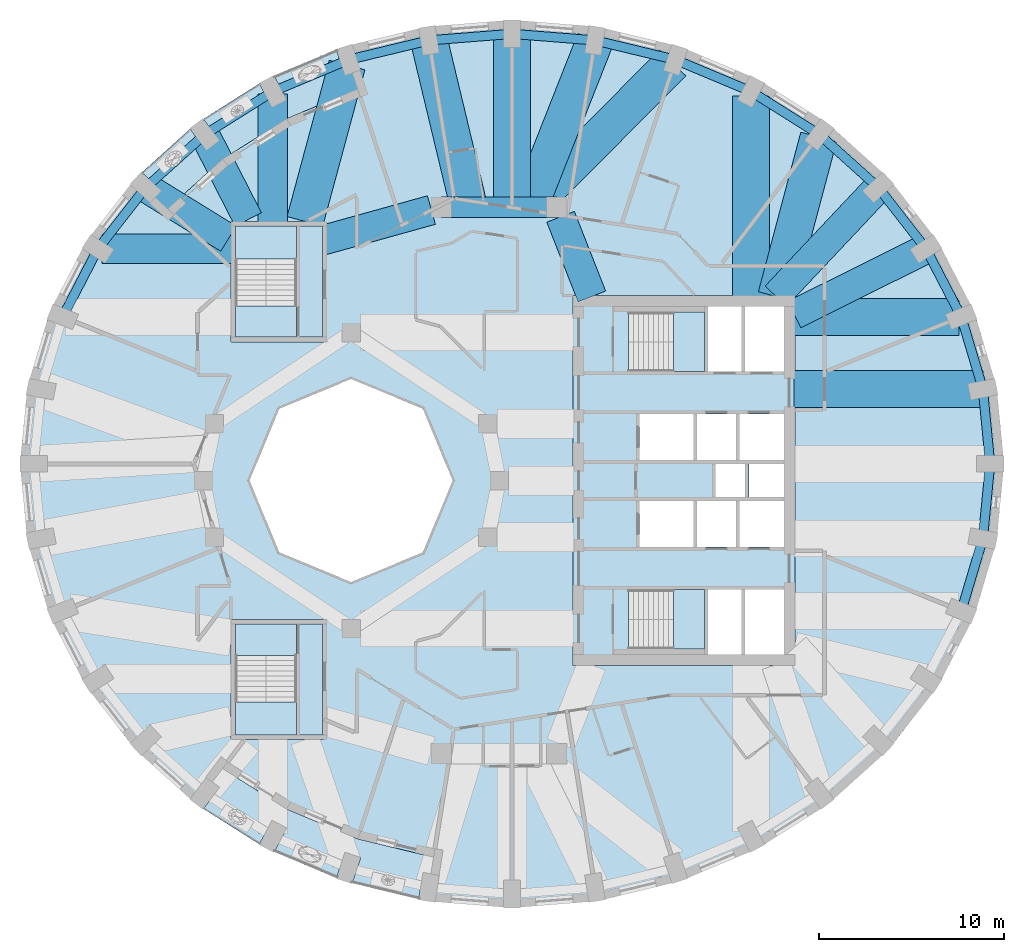
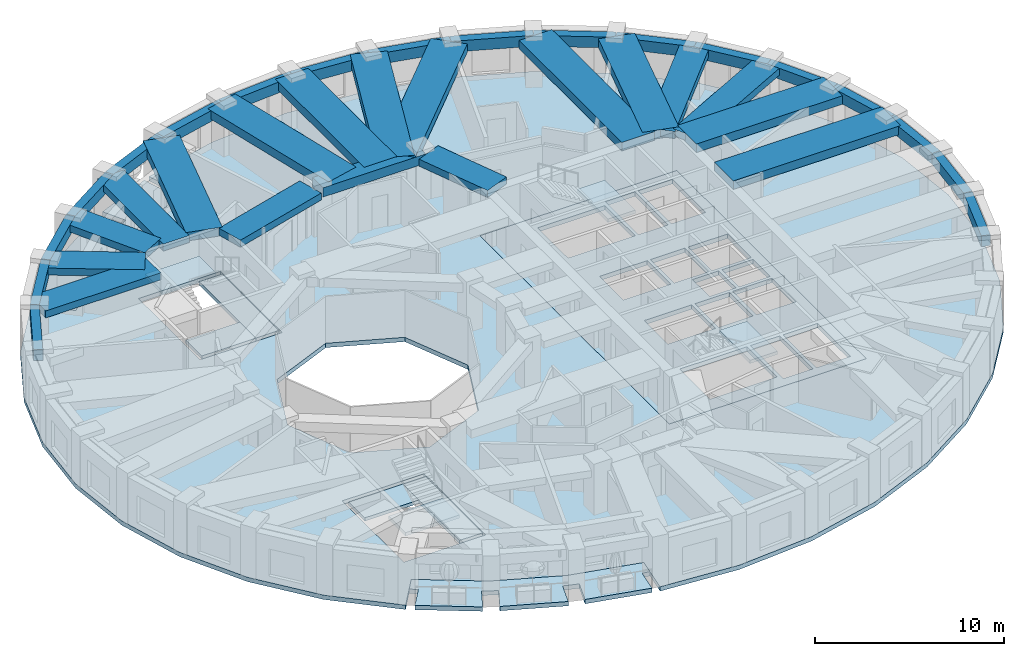
# One storey, part 2 of 12: 36 beams, 12 slabs, 4 elements without a shape of their own.
"""IFC4 building model written with IfcOpenShell, lengths in metres."""

from ifc_helpers import new_model, si_unit, direction, frame, origin, origin_2d, place, context, subcontext, project, spatial, polyline, rectangle, outline, extrude, material, layer, layer_set, material_profile, profile_set, type_object, element, aggregate, save


model = new_model("IFC4")

# Units and contexts
model_context = context("Model", 3, precision=1e-05, world=origin(), true_north=direction((0.0, 1.0)))
body_context = subcontext(model_context, "Body", "Model", "MODEL_VIEW")
ifc_project = project(units=[si_unit("LENGTHUNIT", "METRE"), si_unit("AREAUNIT", "SQUARE_METRE"), si_unit("VOLUMEUNIT", "CUBIC_METRE"), si_unit("PLANEANGLEUNIT", "RADIAN"), si_unit("MASSUNIT", "GRAM", prefix="KILO")], contexts=[model_context])

# Site, building, storey
site_placement = place(None, origin())
site = spatial("IfcSite", under=ifc_project, at=site_placement, CompositionType="ELEMENT")
building_placement = place(site_placement, origin())
building = spatial("IfcBuilding", under=site, at=building_placement, Name="Taillehof Tower", CompositionType="ELEMENT")
storey_placement = place(building_placement, frame((0.0, 0.0, 209.0)))
storey = spatial("IfcBuildingStorey", under=building, at=storey_placement, Name="L59", CompositionType="ELEMENT", Elevation=209.0)

# Beams
ifc_material_1 = material(Name="Concrete C50/60", Category="concrete")
ifc_material_profile_1 = material_profile(ifc_material_1, rectangle(XDim=1.10009765625, YDim=0.60009765625, at=origin_2d()), Name="RC 1100x600")
ifc_profile_set_1 = profile_set([ifc_material_profile_1], Name="Concrete C50/60")
beam_type_1 = type_object("IfcBeamType", Name="Mid-ring beam C50/60 1100x600", PredefinedType="BEAM", material=ifc_profile_set_1)
beam_1_placement = place(storey_placement, frame((3.125732421875, 14.772216796875, 2.719970703125), z_axis=(-1.0, 0.0, 0.0), x_axis=(0.0, -1.0, 0.0)))
element("IfcBeam", 1, at=beam_1_placement, inside=storey, type_object=beam_type_1, Name="Mid-ring beam MB01", PredefinedType="BEAM", context=body_context, shape_type="SweptSolid", body=[
    extrude(rectangle(XDim=1.10009765625, YDim=0.60009765625, at=origin_2d()), origin(), (0.0, 0.0, 1.0), 6.25146484375),
])
ifc_material_2 = material(Name="Concrete C50/60", Category="concrete")
ifc_material_profile_2 = material_profile(ifc_material_2, rectangle(XDim=1.60009765625, YDim=0.449951171875, at=origin_2d()), Name="RC 1600x450")
ifc_profile_set_2 = profile_set([ifc_material_profile_2], Name="Concrete C50/60")
beam_type_2 = type_object("IfcBeamType", Name="Radial band beam C50/60 1600x450", PredefinedType="BEAM", material=ifc_profile_set_2)
beam_2_placement = place(storey_placement, frame((23.086669921875, 12.52490234375, 2.794921875), z_axis=(-0.895357082848, -0.445348957778, 0.0), x_axis=(0.445348957778, -0.895357082848, 0.0)))
element("IfcBeam", 2, at=beam_2_placement, inside=storey, type_object=beam_type_2, Name="Radial band beam RB04", PredefinedType="BEAM", context=body_context, shape_type="SweptSolid", body=[
    extrude(rectangle(XDim=1.60009765625, YDim=0.449951171875, at=origin_2d()), origin(), (0.0, 0.0, 1.0), 7.96484375),
])
beam_3_placement = place(storey_placement, frame((20.502197265625, 15.8447265625, 2.794921875), z_axis=(-0.685451470964, -0.728118315217, 0.0), x_axis=(0.728118315217, -0.685451470964, 0.0)))
element("IfcBeam", 3, at=beam_3_placement, inside=storey, type_object=beam_type_2, Name="Radial band beam RB05", PredefinedType="BEAM", context=body_context, shape_type="SweptSolid", body=[
    extrude(rectangle(XDim=1.60009765625, YDim=0.449951171875, at=origin_2d()), origin(), (0.0, 0.0, 1.0), 8.07373046875),
])
beam_4_placement = place(storey_placement, frame((-12.22509765625, 20.9013671875, 2.794921875), z_axis=(0.0, -1.0, 0.0), x_axis=(1.0, 0.0, 0.0)))
element("IfcBeam", 4, at=beam_4_placement, inside=storey, type_object=beam_type_2, Name="Radial band beam RB13", PredefinedType="BEAM", context=body_context, shape_type="SweptSolid", body=[
    extrude(rectangle(XDim=1.60009765625, YDim=0.449951171875, at=origin_2d()), origin(), (0.0, 0.0, 1.0), 6.951416015625),
])
beam_5_placement = place(storey_placement, frame((-15.916015625, 18.71044921875, 2.794921875), z_axis=(0.456360793517, -0.889794822496, 0.0), x_axis=(0.889794822496, 0.456360793517, 0.0)))
element("IfcBeam", 5, at=beam_5_placement, inside=storey, type_object=beam_type_2, Name="Radial band beam RB14", PredefinedType="BEAM", context=body_context, shape_type="SweptSolid", body=[
    extrude(rectangle(XDim=1.60009765625, YDim=0.449951171875, at=origin_2d()), origin(), (0.0, 0.0, 1.0), 5.16455078125),
])
beam_6_placement = place(storey_placement, frame((-19.102294921875, 15.8447265625, 2.794921875), z_axis=(0.850616081395, -0.525787297366, 0.0), x_axis=(0.525787297366, 0.850616081395, 0.0)))
element("IfcBeam", 6, at=beam_6_placement, inside=storey, type_object=beam_type_2, Name="Radial band beam RB15", PredefinedType="BEAM", context=body_context, shape_type="SweptSolid", body=[
    extrude(rectangle(XDim=1.60009765625, YDim=0.449951171875, at=origin_2d()), origin(), (0.0, 0.0, 1.0), 5.260498046875),
])
beam_7_placement = place(storey_placement, frame((-21.47021484375, 12.52490234375, 2.794921875), z_axis=(1.0, 0.0, 0.0), x_axis=(0.0, 1.0, 0.0)))
element("IfcBeam", 7, at=beam_7_placement, inside=storey, type_object=beam_type_2, Name="Radial band beam RB16", PredefinedType="BEAM", context=body_context, shape_type="SweptSolid", body=[
    extrude(rectangle(XDim=1.60009765625, YDim=0.449951171875, at=origin_2d()), origin(), (0.0, 0.0, 1.0), 7.020263671875),
])
beam_8_placement = place(storey_placement, frame((3.32666015625, 14.26025390625, 2.794921875), z_axis=(0.365588707223, -0.930776502255, 0.0), x_axis=(0.930776502255, 0.365588707223, 0.0)))
element("IfcBeam", 8, at=beam_8_placement, inside=storey, type_object=beam_type_2, Name="Inner band beam IB205", PredefinedType="BEAM", context=body_context, shape_type="SweptSolid", body=[
    extrude(rectangle(XDim=1.60009765625, YDim=0.449951171875, at=origin_2d()), origin(), (0.0, 0.0, 1.0), 4.627197265625),
])
beam_9_placement = place(storey_placement, frame((-3.655517578125, 14.624755859375, 2.794921875), z_axis=(-0.963459369536, -0.267854518821, 0.0), x_axis=(0.267854518821, -0.963459369536, 0.0)))
element("IfcBeam", 9, at=beam_9_placement, inside=storey, type_object=beam_type_2, Name="Inner band beam IB206", PredefinedType="BEAM", context=body_context, shape_type="SweptSolid", body=[
    extrude(rectangle(XDim=1.60009765625, YDim=0.449951171875, at=origin_2d()), origin(), (0.0, 0.0, 1.0), 6.096923828125),
])
ifc_material_3 = material(Name="Concrete C50/60", Category="concrete")
ifc_material_profile_3 = material_profile(ifc_material_3, rectangle(XDim=2.0, YDim=0.550048828125, at=origin_2d()), Name="RC 2000x550")
ifc_profile_set_3 = profile_set([ifc_material_profile_3], Name="Concrete C50/60")
beam_type_3 = type_object("IfcBeamType", Name="Radial band beam C50/60 2000x550", PredefinedType="BEAM", material=ifc_profile_set_3)
beam_10_placement = place(storey_placement, frame((26.1572265625, 4.937255859375, 2.7451171875), z_axis=(-1.0, 0.0, 0.0), x_axis=(0.0, -1.0, 0.0)))
element("IfcBeam", 10, at=beam_10_placement, inside=storey, type_object=beam_type_3, Name="Radial band beam RB02", PredefinedType="BEAM", context=body_context, shape_type="SweptSolid", body=[
    extrude(rectangle(XDim=2.0, YDim=0.550048828125, at=origin_2d()), origin(), (0.0, 0.0, 1.0), 10.207275390625),
])
beam_11_placement = place(storey_placement, frame((24.856201171875, 8.85205078125, 2.7451171875), z_axis=(-1.0, 0.0, 0.0), x_axis=(0.0, -1.0, 0.0)))
element("IfcBeam", 11, at=beam_11_placement, inside=storey, type_object=beam_type_3, Name="Radial band beam RB03", PredefinedType="BEAM", context=body_context, shape_type="SweptSolid", body=[
    extrude(rectangle(XDim=2.0, YDim=0.550048828125, at=origin_2d()), origin(), (0.0, 0.0, 1.0), 8.90625),
])
beam_12_placement = place(storey_placement, frame((17.28076171875, 18.577880859375, 2.7451171875), z_axis=(-0.256969711091, -0.966419457369, 0.0), x_axis=(0.966419457369, -0.256969711091, 0.0)))
element("IfcBeam", 12, at=beam_12_placement, inside=storey, type_object=beam_type_3, Name="Radial band beam RB06", PredefinedType="BEAM", context=body_context, shape_type="SweptSolid", body=[
    extrude(rectangle(XDim=2.0, YDim=0.550048828125, at=origin_2d()), origin(), (0.0, 0.0, 1.0), 8.926025390625),
])
beam_13_placement = place(storey_placement, frame((13.625, 20.797607421875, 2.7451171875), z_axis=(0.0, -1.0, 0.0), x_axis=(1.0, 0.0, 0.0)))
element("IfcBeam", 13, at=beam_13_placement, inside=storey, type_object=beam_type_3, Name="Radial band beam RB07", PredefinedType="BEAM", context=body_context, shape_type="SweptSolid", body=[
    extrude(rectangle(XDim=2.0, YDim=0.550048828125, at=origin_2d()), origin(), (0.0, 0.0, 1.0), 10.84765625),
])
beam_14_placement = place(storey_placement, frame((9.384765625, 22.590087890625, 2.7451171875), z_axis=(-0.704433609475, -0.709769885133, 0.0), x_axis=(0.709769885133, -0.704433609475, 0.0)))
element("IfcBeam", 14, at=beam_14_placement, inside=storey, type_object=beam_type_3, Name="Radial band beam RB08", PredefinedType="BEAM", context=body_context, shape_type="SweptSolid", body=[
    extrude(rectangle(XDim=2.0, YDim=0.550048828125, at=origin_2d()), origin(), (0.0, 0.0, 1.0), 10.79736328125),
])
beam_15_placement = place(storey_placement, frame((5.188720703125, 23.796875, 2.7451171875), z_axis=(-0.367222105753, -0.930133283485, 0.0), x_axis=(0.930133283485, -0.367222105753, 0.0)))
element("IfcBeam", 15, at=beam_15_placement, inside=storey, type_object=beam_type_3, Name="Radial band beam RB09", PredefinedType="BEAM", context=body_context, shape_type="SweptSolid", body=[
    extrude(rectangle(XDim=2.0, YDim=0.550048828125, at=origin_2d()), origin(), (0.0, 0.0, 1.0), 9.70263671875),
])
beam_16_placement = place(storey_placement, frame((0.699951171875, 24.14990234375, 2.7451171875), z_axis=(0.0, -1.0, 0.0), x_axis=(1.0, 0.0, 0.0)))
element("IfcBeam", 16, at=beam_16_placement, inside=storey, type_object=beam_type_3, Name="Radial band beam RB10", PredefinedType="BEAM", context=body_context, shape_type="SweptSolid", body=[
    extrude(rectangle(XDim=2.0, YDim=0.550048828125, at=origin_2d()), origin(), (0.0, 0.0, 1.0), 9.377685546875),
])
beam_17_placement = place(storey_placement, frame((-3.788818359375, 23.796875, 2.7451171875), z_axis=(0.233084395558, -0.972456510363, 0.0), x_axis=(0.972456510363, 0.233084395558, 0.0)))
element("IfcBeam", 17, at=beam_17_placement, inside=storey, type_object=beam_type_3, Name="Radial band beam RB11", PredefinedType="BEAM", context=body_context, shape_type="SweptSolid", body=[
    extrude(rectangle(XDim=2.0, YDim=0.550048828125, at=origin_2d()), origin(), (0.0, 0.0, 1.0), 9.2802734375),
])
beam_18_placement = place(storey_placement, frame((-8.2177734375, 22.464111328125, 2.7451171875), z_axis=(-0.260346436551, -0.965515268121, 0.0), x_axis=(0.965515268121, -0.260346436551, 0.0)))
element("IfcBeam", 18, at=beam_18_placement, inside=storey, type_object=beam_type_3, Name="Radial band beam RB12", PredefinedType="BEAM", context=body_context, shape_type="SweptSolid", body=[
    extrude(rectangle(XDim=2.0, YDim=0.550048828125, at=origin_2d()), origin(), (0.0, 0.0, 1.0), 8.755859375),
])
ifc_material_4 = material(Name="Concrete C50/60", Category="concrete")
ifc_material_profile_4 = material_profile(ifc_material_4, rectangle(XDim=0.5, YDim=0.699951171875, at=origin_2d()), Name="RC 500x700")
ifc_profile_set_4 = profile_set([ifc_material_profile_4], Name="Concrete C50/60")
beam_type_4 = type_object("IfcBeamType", Name="Spandrel beam C50/60 500x700", PredefinedType="SPANDREL", material=ifc_profile_set_4)
beam_19_placement = place(storey_placement, frame((26.550048828125, 0.89990234375, 2.669921875), z_axis=(-0.096839674059, 0.995299993735, 0.0), x_axis=(-0.995299993735, -0.096839674059, 0.0)))
element("IfcBeam", 19, at=beam_19_placement, inside=storey, type_object=beam_type_4, Name="Spandrel beam SB01", PredefinedType="SPANDREL", context=body_context, shape_type="SweptSolid", body=[
    extrude(rectangle(XDim=0.5, YDim=0.699951171875, at=origin_2d()), origin(), (0.0, 0.0, 1.0), 4.056396484375),
])
beam_20_placement = place(storey_placement, frame((26.1572265625, 4.937255859375, 2.669921875), z_axis=(-0.285510458946, 0.9583755933, 0.0), x_axis=(-0.9583755933, -0.285510458946, 0.0)))
element("IfcBeam", 20, at=beam_20_placement, inside=storey, type_object=beam_type_4, Name="Spandrel beam SB02", PredefinedType="SPANDREL", context=body_context, shape_type="SweptSolid", body=[
    extrude(rectangle(XDim=0.5, YDim=0.699951171875, at=origin_2d()), origin(), (0.0, 0.0, 1.0), 4.084716796875),
])
beam_21_placement = place(storey_placement, frame((24.990966796875, 8.85205078125, 2.669921875), z_axis=(-0.460289604274, 0.887768821371, 0.0), x_axis=(-0.887768821371, -0.460289604274, 0.0)))
element("IfcBeam", 21, at=beam_21_placement, inside=storey, type_object=beam_type_4, Name="Spandrel beam SB03", PredefinedType="SPANDREL", context=body_context, shape_type="SweptSolid", body=[
    extrude(rectangle(XDim=0.5, YDim=0.699951171875, at=origin_2d()), origin(), (0.0, 0.0, 1.0), 4.13720703125),
])
beam_22_placement = place(storey_placement, frame((23.086669921875, 12.52490234375, 2.669921875), z_axis=(-0.614294081938, 0.789077170432, 0.0), x_axis=(-0.789077170432, -0.614294081938, 0.0)))
element("IfcBeam", 22, at=beam_22_placement, inside=storey, type_object=beam_type_4, Name="Spandrel beam SB04", PredefinedType="SPANDREL", context=body_context, shape_type="SweptSolid", body=[
    extrude(rectangle(XDim=0.5, YDim=0.699951171875, at=origin_2d()), origin(), (0.0, 0.0, 1.0), 4.207275390625),
])
beam_23_placement = place(storey_placement, frame((20.502197265625, 15.8447265625, 2.669921875), z_axis=(-0.743492416006, 0.668744366213, 0.0), x_axis=(-0.668744366213, -0.743492416006, 0.0)))
element("IfcBeam", 23, at=beam_23_placement, inside=storey, type_object=beam_type_4, Name="Spandrel beam SB05", PredefinedType="SPANDREL", context=body_context, shape_type="SweptSolid", body=[
    extrude(rectangle(XDim=0.5, YDim=0.699951171875, at=origin_2d()), origin(), (0.0, 0.0, 1.0), 4.28515625),
])
beam_24_placement = place(storey_placement, frame((17.316162109375, 18.71044921875, 2.669921875), z_axis=(-0.846166475687, 0.532918657417, 0.0), x_axis=(-0.532918657417, -0.846166475687, 0.0)))
element("IfcBeam", 24, at=beam_24_placement, inside=storey, type_object=beam_type_4, Name="Spandrel beam SB06", PredefinedType="SPANDREL", context=body_context, shape_type="SweptSolid", body=[
    extrude(rectangle(XDim=0.5, YDim=0.699951171875, at=origin_2d()), origin(), (0.0, 0.0, 1.0), 4.3623046875),
])
beam_25_placement = place(storey_placement, frame((13.625, 21.03515625, 2.669921875), z_axis=(-0.92218550199, 0.386747850569, 0.0), x_axis=(-0.386747850569, -0.92218550199, 0.0)))
element("IfcBeam", 25, at=beam_25_placement, inside=storey, type_object=beam_type_4, Name="Spandrel beam SB07", PredefinedType="SPANDREL", context=body_context, shape_type="SweptSolid", body=[
    extrude(rectangle(XDim=0.5, YDim=0.699951171875, at=origin_2d()), origin(), (0.0, 0.0, 1.0), 4.42822265625),
])
beam_26_placement = place(storey_placement, frame((9.541259765625, 22.747802734375, 2.669921875), z_axis=(-0.972160640613, 0.234315361943, 0.0), x_axis=(-0.234315361943, -0.972160640613, 0.0)))
element("IfcBeam", 26, at=beam_26_placement, inside=storey, type_object=beam_type_4, Name="Spandrel beam SB08", PredefinedType="SPANDREL", context=body_context, shape_type="SweptSolid", body=[
    extrude(rectangle(XDim=0.5, YDim=0.699951171875, at=origin_2d()), origin(), (0.0, 0.0, 1.0), 4.477294921875),
])
for number, where, z_axis, x_axis, name in (
    (27, (5.188720703125, 23.796875, 2.669921875), (-0.996921613963, 0.078404691275, 0.0), (-0.078404691275, -0.996921613963, 0.0), "Spandrel beam SB09"),
    (28, (0.699951171875, 24.14990234375, 2.669921875), (-0.996921613963, -0.078404691275, 0.0), (0.078404691275, -0.996921613963, 0.0), "Spandrel beam SB10"),
):
    element("IfcBeam", number, at=place(storey_placement, frame(where, z_axis=z_axis, x_axis=x_axis)), inside=storey, type_object=beam_type_4, Name=name, PredefinedType="SPANDREL", context=body_context, shape_type="SweptSolid", body=[
        extrude(rectangle(XDim=0.5, YDim=0.699951171875, at=origin_2d()), origin(), (0.0, 0.0, 1.0), 4.502685546875),
    ])
beam_27_placement = place(storey_placement, frame((-3.788818359375, 23.796875, 2.669921875), z_axis=(-0.972157646478, -0.234327784087, 0.0), x_axis=(0.234327784087, -0.972157646478, 0.0)))
element("IfcBeam", 29, at=beam_27_placement, inside=storey, type_object=beam_type_4, Name="Spandrel beam SB11", PredefinedType="SPANDREL", context=body_context, shape_type="SweptSolid", body=[
    extrude(rectangle(XDim=0.5, YDim=0.699951171875, at=origin_2d()), origin(), (0.0, 0.0, 1.0), 4.47705078125),
])
beam_28_placement = place(storey_placement, frame((-8.14111328125, 22.747802734375, 2.669921875), z_axis=(-0.922193747603, -0.386728188632, 0.0), x_axis=(0.386728188632, -0.922193747603, 0.0)))
element("IfcBeam", 30, at=beam_28_placement, inside=storey, type_object=beam_type_4, Name="Spandrel beam SB12", PredefinedType="SPANDREL", context=body_context, shape_type="SweptSolid", body=[
    extrude(rectangle(XDim=0.5, YDim=0.699951171875, at=origin_2d()), origin(), (0.0, 0.0, 1.0), 4.428466796875),
])
beam_29_placement = place(storey_placement, frame((-12.22509765625, 21.03515625, 2.669921875), z_axis=(-0.846150579775, -0.532943896059, 0.0), x_axis=(0.532943896059, -0.846150579775, 0.0)))
element("IfcBeam", 31, at=beam_29_placement, inside=storey, type_object=beam_type_4, Name="Spandrel beam SB13", PredefinedType="SPANDREL", context=body_context, shape_type="SweptSolid", body=[
    extrude(rectangle(XDim=0.5, YDim=0.699951171875, at=origin_2d()), origin(), (0.0, 0.0, 1.0), 4.362060546875),
])
beam_30_placement = place(storey_placement, frame((-15.916015625, 18.71044921875, 2.669921875), z_axis=(-0.743517893617, -0.668716039789, 0.0), x_axis=(0.668716039789, -0.743517893617, 0.0)))
element("IfcBeam", 32, at=beam_30_placement, inside=storey, type_object=beam_type_4, Name="Spandrel beam SB14", PredefinedType="SPANDREL", context=body_context, shape_type="SweptSolid", body=[
    extrude(rectangle(XDim=0.5, YDim=0.699951171875, at=origin_2d()), origin(), (0.0, 0.0, 1.0), 4.285400390625),
])
beam_31_placement = place(storey_placement, frame((-19.102294921875, 15.8447265625, 2.669921875), z_axis=(-0.614294081938, -0.789077170432, 0.0), x_axis=(0.789077170432, -0.614294081938, 0.0)))
element("IfcBeam", 33, at=beam_31_placement, inside=storey, type_object=beam_type_4, Name="Spandrel beam SB15", PredefinedType="SPANDREL", context=body_context, shape_type="SweptSolid", body=[
    extrude(rectangle(XDim=0.5, YDim=0.699951171875, at=origin_2d()), origin(), (0.0, 0.0, 1.0), 4.207275390625),
])
beam_32_placement = place(storey_placement, frame((-21.686767578125, 12.52490234375, 2.669921875), z_axis=(-0.460289604274, -0.887768821371, 0.0), x_axis=(0.887768821371, -0.460289604274, 0.0)))
element("IfcBeam", 34, at=beam_32_placement, inside=storey, type_object=beam_type_4, Name="Spandrel beam SB16", PredefinedType="SPANDREL", context=body_context, shape_type="SweptSolid", body=[
    extrude(rectangle(XDim=0.5, YDim=0.699951171875, at=origin_2d()), origin(), (0.0, 0.0, 1.0), 4.13720703125),
])
beam_33_placement = place(storey_placement, frame((24.990966796875, -7.052001953125, 2.669921875), z_axis=(0.285510458946, 0.9583755933, 0.0), x_axis=(-0.9583755933, 0.285510458946, 0.0)))
element("IfcBeam", 35, at=beam_33_placement, inside=storey, type_object=beam_type_4, Name="Spandrel beam SB35", PredefinedType="SPANDREL", context=body_context, shape_type="SweptSolid", body=[
    extrude(rectangle(XDim=0.5, YDim=0.699951171875, at=origin_2d()), origin(), (0.0, 0.0, 1.0), 4.084716796875),
])
beam_34_placement = place(storey_placement, frame((26.1572265625, -3.13720703125, 2.669921875), z_axis=(0.096845475428, 0.995299429262, 0.0), x_axis=(-0.995299429262, 0.096845475428, 0.0)))
element("IfcBeam", 36, at=beam_34_placement, inside=storey, type_object=beam_type_4, Name="Spandrel beam SB36", PredefinedType="SPANDREL", context=body_context, shape_type="SweptSolid", body=[
    extrude(rectangle(XDim=0.5, YDim=0.699951171875, at=origin_2d()), origin(), (0.0, 0.0, 1.0), 4.05615234375),
])

# Slabs
ifc_material_5 = material(Name="Concrete C40/50", Category="concrete")
ifc_layer_1 = layer(ifc_material_5, 0.280029296875)
ifc_layer_set_1 = layer_set([ifc_layer_1], Name="Balcony slab 280")
slab_type_1 = type_object("IfcSlabType", Name="Balcony slab 280", PredefinedType="USERDEFINED", material=ifc_layer_set_1)
slab_1_placement = place(storey_placement, frame((0.0, 0.0, -0.280029296875)))
element("IfcSlab", 37, at=slab_1_placement, inside=storey, type_object=slab_type_1, Name="Balcony L59 pocket 7", ObjectType="BALCONY", PredefinedType="USERDEFINED", context=body_context, shape_type="SweptSolid", body=[
    extrude(outline(polyline([(-3.5419921875, -20.365234375), (-3.683349609375, -21.254150390625), (-4.115478515625, -21.185302734375), (-4.345458984375, -22.63232421875), (-7.935791015625, -21.764404296875), (-7.479736328125, -20.375732421875), (-8.334716796875, -20.094970703125), (-8.791748046875, -21.48681640625), (-12.15380859375, -20.072265625), (-11.4794921875, -18.77783203125), (-12.277587890625, -18.362060546875), (-12.9541015625, -19.660888671875), (-15.984375, -17.746337890625), (-15.1044921875, -16.584228515625), (-15.493408203125, -16.289794921875), (-14.949462890625, -15.571533203125), (-11.4912109375, -17.756103515625), (-7.64892578125, -19.372314453125), (-3.5419921875, -20.365234375)])), origin(), (0.0, 0.0, 1.0), 0.280029296875),
])
slab_2_placement = place(storey_placement, frame((0.0, 0.0, -0.280029296875)))
element("IfcSlab", 38, at=slab_2_placement, inside=storey, type_object=slab_type_1, Name="Balcony L59 pocket 3", ObjectType="BALCONY", PredefinedType="USERDEFINED", context=body_context, shape_type="SweptSolid", body=[
    extrude(outline(polyline([(-17.91943359375, 14.6923828125), (-18.5791015625, 15.30615234375), (-18.24658203125, 15.66357421875), (-19.31298828125, 16.6552734375), (-16.70556640625, 19.0078125), (-15.822021484375, 17.841064453125), (-15.1044921875, 18.38427734375), (-15.984375, 19.54638671875), (-12.9541015625, 21.4609375), (-12.277587890625, 20.162109375), (-11.4794921875, 20.577880859375), (-12.15380859375, 21.872314453125), (-8.791748046875, 23.286865234375), (-8.334716796875, 21.894775390625), (-7.929931640625, 22.02783203125), (-7.64892578125, 21.17236328125), (-11.4912109375, 19.55615234375), (-14.949462890625, 17.37158203125), (-17.91943359375, 14.6923828125)])), origin(), (0.0, 0.0, 1.0), 0.280029296875),
])
ifc_material_6 = material(Name="Concrete C40/50", Category="concrete")
ifc_layer_2 = layer(ifc_material_6, 0.280029296875)
ifc_layer_set_2 = layer_set([ifc_layer_2], Name="Core floor slab C40/50 280")
slab_type_2 = type_object("IfcSlabType", Name="Core floor slab C40/50 280", PredefinedType="FLOOR", material=ifc_layer_set_2)
slab_3_placement = place(storey_placement, frame((0.0, 0.0, -0.280029296875)))
element("IfcSlab", 39, at=slab_3_placement, inside=storey, type_object=slab_type_2, Name="Core floor L59", PredefinedType="FLOOR", context=body_context, shape_type="SweptSolid", body=[
    extrude(outline(polyline([(4.0, -10.0), (4.0, 10.0), (16.0, 10.0), (16.0, -10.0), (4.0, -10.0)]), holes=[polyline([(11.10009765625, -9.10009765625), (11.10009765625, -5.89990234375), (7.00048828125, -5.89990234375), (7.00048828125, -9.10009765625), (11.10009765625, -9.10009765625)]), polyline([(10.5, -3.60009765625), (10.5, -1.10009765625), (7.60009765625, -1.10009765625), (7.60009765625, -3.60009765625), (10.5, -3.60009765625)]), polyline([(12.800048828125, -3.60009765625), (12.800048828125, -1.10009765625), (10.699951171875, -1.10009765625), (10.699951171875, -3.60009765625), (12.800048828125, -3.60009765625)]), polyline([(10.5, 1.10009765625), (10.5, 3.60009765625), (7.60009765625, 3.60009765625), (7.60009765625, 1.10009765625), (10.5, 1.10009765625)]), polyline([(12.800048828125, 1.10009765625), (12.800048828125, 3.60009765625), (10.699951171875, 3.60009765625), (10.699951171875, 1.10009765625), (12.800048828125, 1.10009765625)]), polyline([(11.10009765625, 5.89990234375), (11.10009765625, 9.10009765625), (7.00048828125, 9.10009765625), (7.00048828125, 5.89990234375), (11.10009765625, 5.89990234375)]), polyline([(13.10009765625, 5.89990234375), (13.10009765625, 9.39990234375), (11.300048828125, 9.39990234375), (11.300048828125, 5.89990234375), (13.10009765625, 5.89990234375)]), polyline([(13.10009765625, -5.89990234375), (11.300048828125, -5.89990234375), (11.300048828125, -9.39990234375), (13.10009765625, -9.39990234375), (13.10009765625, -5.89990234375)]), polyline([(15.39990234375, -9.39990234375), (15.39990234375, -5.89990234375), (13.300048828125, -5.89990234375), (13.300048828125, -9.39990234375), (15.39990234375, -9.39990234375)]), polyline([(15.39990234375, -3.60009765625), (15.39990234375, -1.10009765625), (13.0, -1.10009765625), (13.0, -3.60009765625), (15.39990234375, -3.60009765625)]), polyline([(13.300048828125, -0.89990234375), (13.300048828125, 0.89990234375), (11.699951171875, 0.89990234375), (11.699951171875, -0.89990234375), (13.300048828125, -0.89990234375)]), polyline([(15.39990234375, -0.89990234375), (15.39990234375, 0.89990234375), (13.5, 0.89990234375), (13.5, -0.89990234375), (15.39990234375, -0.89990234375)]), polyline([(15.39990234375, 1.10009765625), (15.39990234375, 3.60009765625), (13.0, 3.60009765625), (13.0, 1.10009765625), (15.39990234375, 1.10009765625)]), polyline([(15.39990234375, 5.89990234375), (15.39990234375, 9.39990234375), (13.300048828125, 9.39990234375), (13.300048828125, 5.89990234375), (15.39990234375, 5.89990234375)])]), origin(), (0.0, 0.0, 1.0), 0.280029296875),
])
ifc_material_7 = material(Name="Concrete C40/50", Category="concrete")
ifc_layer_3 = layer(ifc_material_7, 0.280029296875)
ifc_layer_set_3 = layer_set([ifc_layer_3], Name="Floor slab 280")
slab_type_3 = type_object("IfcSlabType", Name="Floor slab 280", PredefinedType="FLOOR", material=ifc_layer_set_3)
slab_4_placement = place(storey_placement, frame((0.0, 0.0, -0.280029296875)))
element("IfcSlab", 40, at=slab_4_placement, inside=storey, type_object=slab_type_3, Name="Floor slab L59", PredefinedType="FLOOR", context=body_context, shape_type="SweptSolid", body=[
    extrude(outline(polyline([(27.300048828125, 0.89990234375), (26.89599609375, 5.067626953125), (25.69580078125, 9.1083984375), (23.736328125, 12.89990234375), (21.076904296875, 16.326904296875), (17.798095703125, 19.28515625), (14.0, 21.6845703125), (9.797607421875, 23.45263671875), (5.319091796875, 24.535400390625), (0.699951171875, 24.89990234375), (-3.9189453125, 24.535400390625), (-8.397705078125, 23.45263671875), (-7.64892578125, 21.17236328125), (-11.4912109375, 19.55615234375), (-14.949462890625, 17.37158203125), (-17.919189453125, 14.6923828125), (-19.6767578125, 16.326904296875), (-22.336181640625, 12.89990234375), (-24.2958984375, 9.1083984375), (-25.495849609375, 5.067626953125), (-25.89990234375, 0.89990234375), (-25.495849609375, -3.267578125), (-24.2958984375, -7.30859375), (-22.336181640625, -11.10009765625), (-19.6767578125, -14.52685546875), (-16.398193359375, -17.485107421875), (-14.949462890625, -15.571533203125), (-11.4912109375, -17.756103515625), (-7.64892578125, -19.372314453125), (-3.5419921875, -20.365234375), (-3.9189453125, -22.7353515625), (0.699951171875, -23.10009765625), (5.319091796875, -22.7353515625), (9.797607421875, -21.652587890625), (14.0, -19.884521484375), (17.798095703125, -17.485107421875), (21.076904296875, -14.52685546875), (23.736328125, -11.10009765625), (25.69580078125, -7.30859375), (26.89599609375, -3.267578125), (27.300048828125, 0.89990234375)]), holes=[polyline([(-14.5, -7.5), (-9.5, -7.5), (-9.5, -14.0), (-14.5, -14.0), (-14.5, -7.5)]), polyline([(-8.0, -5.5), (-11.88916015625, -3.88916015625), (-13.5, 0.0), (-11.88916015625, 3.88916015625), (-8.0, 5.5), (-4.11083984375, 3.88916015625), (-2.5, 0.0), (-4.11083984375, -3.88916015625), (-8.0, -5.5)]), polyline([(16.0, 10.0), (16.0, -10.0), (4.0, -10.0), (4.0, 10.0), (16.0, 10.0)]), polyline([(-14.5, 14.0), (-9.5, 14.0), (-9.5, 7.5), (-14.5, 7.5), (-14.5, 14.0)])]), origin(), (0.0, 0.0, 1.0), 0.280029296875),
])

# Stair, slab
ifc_material_8 = material(Name="Concrete C40/50", Category="concrete")
stair_type = type_object("IfcStairType", Name="Exit stair half-turn", PredefinedType="HALF_TURN_STAIR", material=ifc_material_8)
stair_1_placement = place(storey_placement, origin())
stair_1 = element("IfcStair", 41, at=stair_1_placement, inside=storey, type_object=stair_type, Name="Exit stair S1", PredefinedType="HALF_TURN_STAIR")
ifc_material_9 = material(Name="Concrete C40/50", Category="concrete")
ifc_layer_4 = layer(ifc_material_9, 0.2099609375)
ifc_layer_set_4 = layer_set([ifc_layer_4], Name="Stair landing C40/50 210")
slab_type_4 = type_object("IfcSlabType", Name="Stair landing C40/50 210", PredefinedType="LANDING", material=ifc_layer_set_4)
slab_5_placement = place(storey_placement, frame((0.0, 0.0, 1.43994140625)))
slab_5 = element("IfcSlab", 42, at=slab_5_placement, type_object=slab_type_4, Name="S1 landing 1", PredefinedType="LANDING", context=body_context, shape_type="SweptSolid", body=[
    extrude(outline(polyline([(9.429931640625, 5.89990234375), (11.10009765625, 5.89990234375), (11.10009765625, 9.10009765625), (9.429931640625, 9.10009765625), (9.429931640625, 5.89990234375)])), origin(), (0.0, 0.0, 1.0), 0.2099609375),
])
aggregate(stair_1, [slab_5])

stair_2_placement = place(storey_placement, origin())
stair_2 = element("IfcStair", 43, at=stair_2_placement, inside=storey, type_object=stair_type, Name="Exit stair S2", PredefinedType="HALF_TURN_STAIR")
slab_6_placement = place(storey_placement, frame((0.0, 0.0, 1.43994140625)))
slab_6 = element("IfcSlab", 44, at=slab_6_placement, type_object=slab_type_4, Name="S2 landing 1", PredefinedType="LANDING", context=body_context, shape_type="SweptSolid", body=[
    extrude(outline(polyline([(9.429931640625, -5.89990234375), (11.10009765625, -5.89990234375), (11.10009765625, -9.10009765625), (9.429931640625, -9.10009765625), (9.429931640625, -5.89990234375)])), origin(), (0.0, 0.0, 1.0), 0.2099609375),
])
aggregate(stair_2, [slab_6])

stair_3_placement = place(storey_placement, origin())
stair_3 = element("IfcStair", 45, at=stair_3_placement, inside=storey, type_object=stair_type, Name="Exit stair S3", PredefinedType="HALF_TURN_STAIR")
slab_7_placement = place(storey_placement, frame((0.0, 0.0, 1.43994140625)))
slab_7 = element("IfcSlab", 46, at=slab_7_placement, type_object=slab_type_4, Name="S3 landing 1", PredefinedType="LANDING", context=body_context, shape_type="SweptSolid", body=[
    extrude(outline(polyline([(-14.25, 11.969970703125), (-14.25, 13.75), (-10.949951171875, 13.75), (-10.949951171875, 11.969970703125), (-14.25, 11.969970703125)])), origin(), (0.0, 0.0, 1.0), 0.2099609375),
])
aggregate(stair_3, [slab_7])

stair_4_placement = place(storey_placement, origin())
stair_4 = element("IfcStair", 47, at=stair_4_placement, inside=storey, type_object=stair_type, Name="Exit stair S4", PredefinedType="HALF_TURN_STAIR")
slab_8_placement = place(storey_placement, frame((0.0, 0.0, 1.43994140625)))
slab_8 = element("IfcSlab", 48, at=slab_8_placement, type_object=slab_type_4, Name="S4 landing 1", PredefinedType="LANDING", context=body_context, shape_type="SweptSolid", body=[
    extrude(outline(polyline([(-14.25, -11.969970703125), (-14.25, -13.75), (-10.949951171875, -13.75), (-10.949951171875, -11.969970703125), (-14.25, -11.969970703125)])), origin(), (0.0, 0.0, 1.0), 0.2099609375),
])
aggregate(stair_4, [slab_8])

# Slabs
slab_9_placement = place(storey_placement, frame((0.0, 0.0, -0.2099609375)))
element("IfcSlab", 49, at=slab_9_placement, inside=storey, type_object=slab_type_4, Name="Stair S3 floor landing", PredefinedType="LANDING", context=body_context, shape_type="SweptSolid", body=[
    extrude(outline(polyline([(-14.25, 7.75), (-14.25, 9.449951171875), (-10.949951171875, 9.449951171875), (-10.949951171875, 7.75), (-14.25, 7.75)])), origin(), (0.0, 0.0, 1.0), 0.2099609375),
])
slab_10_placement = place(storey_placement, frame((0.0, 0.0, -0.2099609375)))
element("IfcSlab", 50, at=slab_10_placement, inside=storey, type_object=slab_type_4, Name="Stair lobby S3 floor", PredefinedType="LANDING", context=body_context, shape_type="SweptSolid", body=[
    extrude(outline(polyline([(-10.949951171875, 7.75), (-9.550048828125, 7.75), (-9.550048828125, 13.75), (-10.949951171875, 13.75), (-10.949951171875, 7.75)])), origin(), (0.0, 0.0, 1.0), 0.2099609375),
])
slab_11_placement = place(storey_placement, frame((0.0, 0.0, -0.2099609375)))
element("IfcSlab", 51, at=slab_11_placement, inside=storey, type_object=slab_type_4, Name="Stair S4 floor landing", PredefinedType="LANDING", context=body_context, shape_type="SweptSolid", body=[
    extrude(outline(polyline([(-14.25, -7.75), (-14.25, -9.449951171875), (-10.949951171875, -9.449951171875), (-10.949951171875, -7.75), (-14.25, -7.75)])), origin(), (0.0, 0.0, 1.0), 0.2099609375),
])
slab_12_placement = place(storey_placement, frame((0.0, 0.0, -0.2099609375)))
element("IfcSlab", 52, at=slab_12_placement, inside=storey, type_object=slab_type_4, Name="Stair lobby S4 floor", PredefinedType="LANDING", context=body_context, shape_type="SweptSolid", body=[
    extrude(outline(polyline([(-10.949951171875, -13.75), (-9.550048828125, -13.75), (-9.550048828125, -7.75), (-10.949951171875, -7.75), (-10.949951171875, -13.75)])), origin(), (0.0, 0.0, 1.0), 0.2099609375),
])

save(model, "model.ifc")
